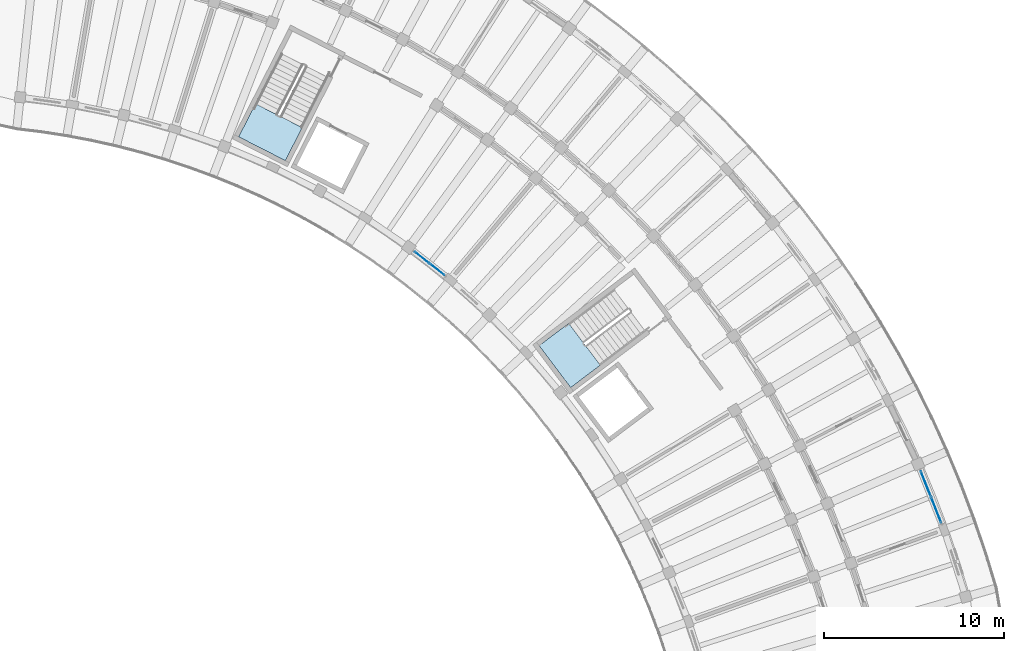
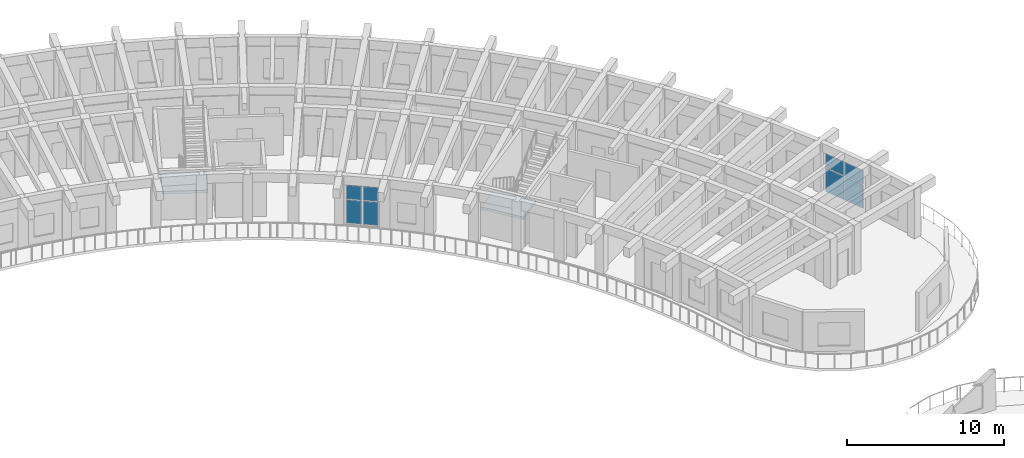
# One storey, part 78 of 128: 8 plates, 2 slabs, 4 elements without a shape of their own.
"""IFC4 building model written with IfcOpenShell, lengths in metres."""

from ifc_helpers import new_model, si_unit, direction, frame, origin, origin_2d, place, context, subcontext, project, spatial, polyline, rectangle, outline, extrude, material, layer, layer_set, type_object, element, aggregate, save


model = new_model("IFC4")

# Units and contexts
model_context = context("Model", 3, precision=1e-05, world=origin(), true_north=direction((0.0, 1.0)))
body_context = subcontext(model_context, "Body", "Model", "MODEL_VIEW")
ifc_project = project(units=[si_unit("LENGTHUNIT", "METRE"), si_unit("AREAUNIT", "SQUARE_METRE"), si_unit("VOLUMEUNIT", "CUBIC_METRE"), si_unit("PLANEANGLEUNIT", "RADIAN"), si_unit("MASSUNIT", "GRAM", prefix="KILO")], contexts=[model_context])

# Site, building, storey
site_placement = place(None, origin())
site = spatial("IfcSite", under=ifc_project, at=site_placement, CompositionType="ELEMENT")
building_placement = place(site_placement, origin())
building = spatial("IfcBuilding", under=site, at=building_placement, Name="Tanwirah Colonnade Gardens", CompositionType="ELEMENT")
storey_placement = place(building_placement, frame((0.0, 0.0, 4.760009765625)))
storey = spatial("IfcBuildingStorey", under=building, at=storey_placement, Name="L01", CompositionType="ELEMENT", Elevation=4.760009765625)

# Curtain wall, plates
ifc_material_1 = material(Name="Bronze-anodised aluminium and solar-control low-E glass", Category="aluminium")
curtain_wall_type_1 = type_object("IfcCurtainWallType", Name="CW-LOB", PredefinedType="NOTDEFINED", material=ifc_material_1)
curtain_wall_1_placement = place(storey_placement, origin())
curtain_wall_1 = element("IfcCurtainWall", 1, at=curtain_wall_1_placement, inside=storey, type_object=curtain_wall_type_1, Name="Curtain Wall CW-B-L01-OUT-01", PredefinedType="NOTDEFINED")
ifc_material_2 = material(Name="Acoustic solar-control low-E double glazing", Category="glass")
ifc_layer_1 = layer(ifc_material_2, 0.031982421875)
ifc_layer_set_1 = layer_set([ifc_layer_1], Name="Acoustic solar-control low-E double glazing")
plate_type = type_object("IfcPlateType", Name="CWP-GLZ32", PredefinedType="CURTAIN_PANEL", material=ifc_layer_set_1)
plate_1_placement = place(storey_placement, frame((176.60205078125, 81.44580078125, 0.06982421875), z_axis=(0.0, 0.0, 1.0), x_axis=(-0.369206031847, 0.929347570099, 0.0)))
plate_1 = element("IfcPlate", 2, at=plate_1_placement, type_object=plate_type, Name="CW-LOB panel 1.1", PredefinedType="CURTAIN_PANEL", context=body_context, shape_type="SweptSolid", body=[
    extrude(rectangle(XDim=1.497802734375, YDim=0.031982421875, at=origin_2d()), origin(), (0.0, 0.0, 1.0), 1.801513671875),
])
plate_2_placement = place(storey_placement, frame((176.60205078125, 81.44580078125, 1.94140625), z_axis=(0.0, 0.0, 1.0), x_axis=(-0.369206031847, 0.929347570099, 0.0)))
plate_2 = element("IfcPlate", 3, at=plate_2_placement, type_object=plate_type, Name="CW-LOB panel 1.2", PredefinedType="CURTAIN_PANEL", context=body_context, shape_type="SweptSolid", body=[
    extrude(rectangle(XDim=1.497802734375, YDim=0.031982421875, at=origin_2d()), origin(), (0.0, 0.0, 1.0), 1.0634765625),
])
plate_3_placement = place(storey_placement, frame((176.023193359375, 82.90283203125, 0.06982421875), z_axis=(0.0, 0.0, 1.0), x_axis=(-0.369206031847, 0.929347570099, 0.0)))
plate_3 = element("IfcPlate", 4, at=plate_3_placement, type_object=plate_type, Name="CW-LOB panel 2.1", PredefinedType="CURTAIN_PANEL", context=body_context, shape_type="SweptSolid", body=[
    extrude(rectangle(XDim=1.497802734375, YDim=0.031982421875, at=origin_2d()), origin(), (0.0, 0.0, 1.0), 1.801513671875),
])
plate_4_placement = place(storey_placement, frame((176.023193359375, 82.90283203125, 1.94140625), z_axis=(0.0, 0.0, 1.0), x_axis=(-0.369206031847, 0.929347570099, 0.0)))
plate_4 = element("IfcPlate", 5, at=plate_4_placement, type_object=plate_type, Name="CW-LOB panel 2.2", PredefinedType="CURTAIN_PANEL", context=body_context, shape_type="SweptSolid", body=[
    extrude(rectangle(XDim=1.497802734375, YDim=0.031982421875, at=origin_2d()), origin(), (0.0, 0.0, 1.0), 1.0634765625),
])
aggregate(curtain_wall_1, [plate_1, plate_2, plate_3, plate_4])

curtain_wall_type_2 = type_object("IfcCurtainWallType", Name="CW-GDN", PredefinedType="NOTDEFINED", material=ifc_material_1)
curtain_wall_2_placement = place(storey_placement, origin())
curtain_wall_2 = element("IfcCurtainWall", 6, at=curtain_wall_2_placement, inside=storey, type_object=curtain_wall_type_2, Name="Curtain Wall CW-B-L01-IN-09", PredefinedType="NOTDEFINED")
plate_5_placement = place(storey_placement, frame((148.840087890625, 94.82470703125, 0.06982421875), z_axis=(0.0, 0.0, 1.0), x_axis=(-0.786815291166, 0.617188542982, 0.0)))
plate_5 = element("IfcPlate", 7, at=plate_5_placement, type_object=plate_type, Name="CW-GDN panel 1.1", PredefinedType="CURTAIN_PANEL", context=body_context, shape_type="SweptSolid", body=[
    extrude(rectangle(XDim=1.000244140625, YDim=0.031982421875, at=origin_2d()), origin(), (0.0, 0.0, 1.0), 1.801513671875),
])
plate_6_placement = place(storey_placement, frame((148.840087890625, 94.82470703125, 1.94140625), z_axis=(0.0, 0.0, 1.0), x_axis=(-0.786815291166, 0.617188542982, 0.0)))
plate_6 = element("IfcPlate", 8, at=plate_6_placement, type_object=plate_type, Name="CW-GDN panel 1.2", PredefinedType="CURTAIN_PANEL", context=body_context, shape_type="SweptSolid", body=[
    extrude(rectangle(XDim=1.000244140625, YDim=0.031982421875, at=origin_2d()), origin(), (0.0, 0.0, 1.0), 1.0634765625),
])
plate_7_placement = place(storey_placement, frame((147.998046875, 95.485107421875, 0.06982421875), z_axis=(0.0, 0.0, 1.0), x_axis=(-0.786815291166, 0.617188542982, 0.0)))
plate_7 = element("IfcPlate", 9, at=plate_7_placement, type_object=plate_type, Name="CW-GDN panel 2.1", PredefinedType="CURTAIN_PANEL", context=body_context, shape_type="SweptSolid", body=[
    extrude(rectangle(XDim=1.000244140625, YDim=0.031982421875, at=origin_2d()), origin(), (0.0, 0.0, 1.0), 1.801513671875),
])
plate_8_placement = place(storey_placement, frame((147.998046875, 95.485107421875, 1.94140625), z_axis=(0.0, 0.0, 1.0), x_axis=(-0.786815291166, 0.617188542982, 0.0)))
plate_8 = element("IfcPlate", 10, at=plate_8_placement, type_object=plate_type, Name="CW-GDN panel 2.2", PredefinedType="CURTAIN_PANEL", context=body_context, shape_type="SweptSolid", body=[
    extrude(rectangle(XDim=1.000244140625, YDim=0.031982421875, at=origin_2d()), origin(), (0.0, 0.0, 1.0), 1.0634765625),
])
aggregate(curtain_wall_2, [plate_5, plate_6, plate_7, plate_8])

# Stair, slab
ifc_material_3 = material(Name="Precast concrete C40/50", Category="concrete")
stair_type = type_object("IfcStairType", Name="ST-RES170", PredefinedType="HALF_TURN_STAIR", material=ifc_material_3)
stair_1_placement = place(storey_placement, origin())
stair_1 = element("IfcStair", 11, at=stair_1_placement, inside=storey, type_object=stair_type, Name="L01 Block B Core 1 Exit Stair", PredefinedType="HALF_TURN_STAIR")
ifc_layer_2 = layer(ifc_material_3, 0.205078125)
ifc_layer_set_2 = layer_set([ifc_layer_2], Name="Precast concrete C40/50")
slab_type = type_object("IfcSlabType", Name="SL-LND-205", PredefinedType="LANDING", material=ifc_layer_set_2)
slab_1_placement = place(storey_placement, frame((0.0, 0.0, 1.8349609375)))
slab_1 = element("IfcSlab", 12, at=slab_1_placement, type_object=slab_type, Name="ST-B1 landing 1", PredefinedType="LANDING", context=body_context, shape_type="SweptSolid", body=[
    extrude(outline(polyline([(156.16015625, 91.828857421875), (154.510986328125, 90.586181640625), (156.268310546875, 88.254150390625), (157.91748046875, 89.496826171875), (156.16015625, 91.828857421875)])), origin(), (0.0, 0.0, 1.0), 0.205078125),
])
aggregate(stair_1, [slab_1])

stair_2_placement = place(storey_placement, origin())
stair_2 = element("IfcStair", 13, at=stair_2_placement, inside=storey, type_object=stair_type, Name="L01 Block B Core 2 Exit Stair", PredefinedType="HALF_TURN_STAIR")
slab_2_placement = place(storey_placement, frame((0.0, 0.0, 1.8349609375)))
slab_2 = element("IfcSlab", 14, at=slab_2_placement, type_object=slab_type, Name="ST-B2 landing 1", PredefinedType="LANDING", context=body_context, shape_type="SweptSolid", body=[
    extrude(outline(polyline([(138.736572265625, 104.041015625), (137.799072265625, 102.201171875), (140.40087890625, 100.87548828125), (141.33837890625, 102.715576171875), (138.736572265625, 104.041015625)])), origin(), (0.0, 0.0, 1.0), 0.205078125),
])
aggregate(stair_2, [slab_2])

save(model, "model.ifc")
